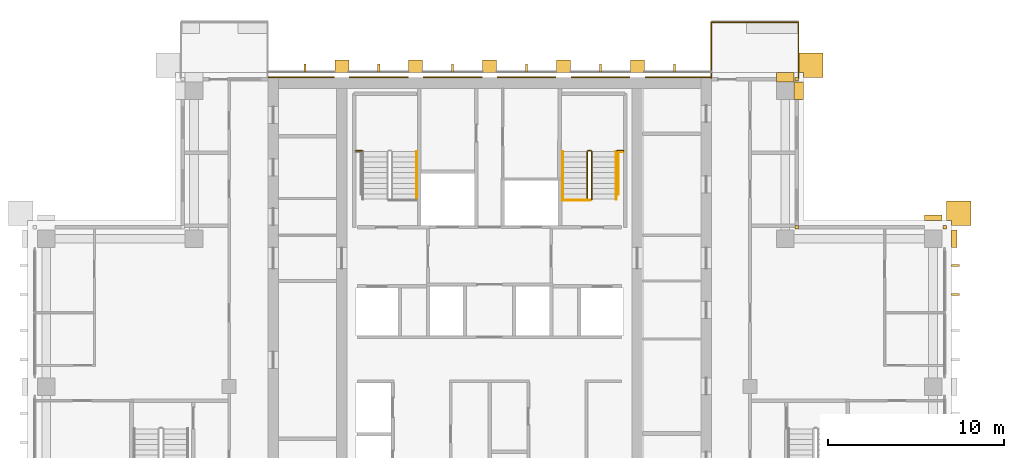
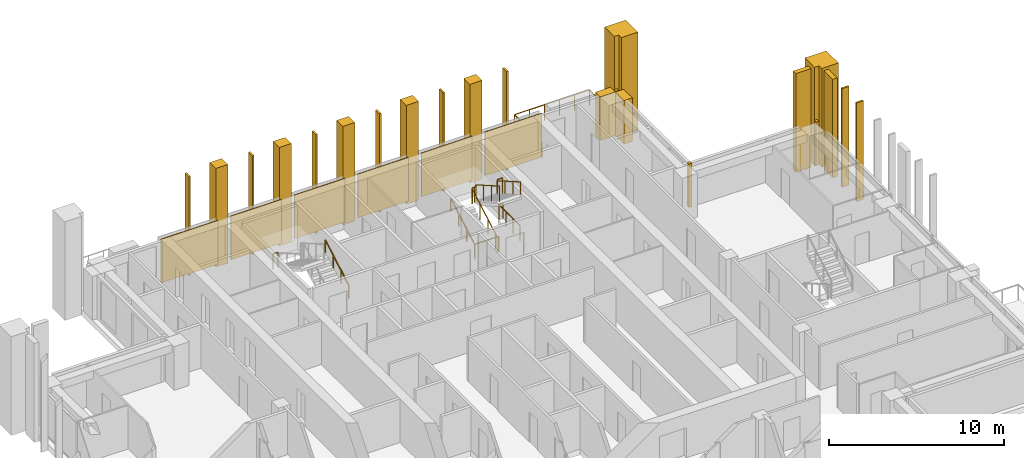
# One storey, part 18 of 18: 28 coverings, 9 railings.
"""IFC4 building model written with IfcOpenShell, lengths in metres."""

import ifcopenshell
import ifcopenshell.guid

model = None  # the IFC model being written
_history = None  # IfcOwnerHistory: only IFC2X3 demands one
_inside = {}  # id of a spatial element -> (the spatial element, [elements in it])
_under = {}  # id of a project, library or spatial element -> (it, [spatial elements below it])
_declared = {}  # id of a project -> (the project, [libraries it declares])
_typed = {}  # id of a type object -> (the type object, [elements of that type])
_made_of = {}  # id of a material, layer set ... -> (it, [elements and type objects made of it])


def new_model(schema):
    """Start an empty IFC model of exactly this schema.

    Asked for "IFC4X3", IfcOpenShell would pick the latest addendum, in which some entities
    have other attributes; the version numbers below select the first issue.
    IFC2X3 requires an IfcOwnerHistory on every rooted entity: one is made here for all.
    """
    global model, _history
    if schema == "IFC4X3":
        model = ifcopenshell.file(schema_version=(4, 3, 0, 0))
    else:
        model = ifcopenshell.file(schema=schema)
    _inside.clear()
    _under.clear()
    _declared.clear()
    _typed.clear()
    _made_of.clear()
    _history = None
    if model.schema == "IFC2X3":
        org = make("IfcOrganization", Name="unknown")
        user = make(
            "IfcPersonAndOrganization",
            ThePerson=make("IfcPerson", FamilyName="unknown"),
            TheOrganization=org,
        )
        app = make(
            "IfcApplication",
            ApplicationDeveloper=org,
            Version="unknown",
            ApplicationFullName="unknown",
            ApplicationIdentifier="unknown",
        )
        _history = make(
            "IfcOwnerHistory",
            OwningUser=user,
            OwningApplication=app,
            ChangeAction="ADDED",
            CreationDate=0,
        )
    return model


def make(cls, **values):
    """One entity of the class cls with the attributes given. An attribute that is None is left unset."""
    return model.create_entity(
        cls, **{name: value for name, value in values.items() if value is not None}
    )


def rooted(cls, **values):
    """An entity with a GlobalId (a new one), such as an element, a storey or a relation."""
    return make(cls, GlobalId=ifcopenshell.guid.new(), OwnerHistory=_history, **values)


def si_unit(unit_type, name, prefix=None):
    """IfcSIUnit, for example si_unit("LENGTHUNIT", "METRE", prefix="MILLI")."""
    return make("IfcSIUnit", UnitType=unit_type, Prefix=prefix, Name=name)


def assignment(units):
    """IfcUnitAssignment: the units of a project."""
    return None if units is None else make("IfcUnitAssignment", Units=units)


def point(xyz):
    """IfcCartesianPoint."""
    return None if xyz is None else make("IfcCartesianPoint", Coordinates=xyz)


def direction(xyz):
    """IfcDirection."""
    return None if xyz is None else make("IfcDirection", DirectionRatios=xyz)


def frame(location, z_axis=None, x_axis=None):
    """IfcAxis2Placement3D, a coordinate frame: its origin and axes. An axis left out is left unset."""
    return make(
        "IfcAxis2Placement3D",
        Location=point(location),
        Axis=direction(z_axis),
        RefDirection=direction(x_axis),
    )


def frame_2d(location, x_axis=None):
    """IfcAxis2Placement2D, a coordinate frame in the plane: its origin and x axis."""
    return make(
        "IfcAxis2Placement2D", Location=point(location), RefDirection=direction(x_axis)
    )


def origin():
    """The frame at (0, 0, 0) with its axes left unset."""
    return frame((0.0, 0.0, 0.0))


def origin_2d():
    """The frame at (0, 0) in the plane with its x axis left unset."""
    return frame_2d((0.0, 0.0))


def place(relative_to, where):
    """IfcLocalPlacement: puts the frame where relative to a parent placement (None: the world)."""
    return make(
        "IfcLocalPlacement", PlacementRelTo=relative_to, RelativePlacement=where
    )


def context(
    kind, dimensions, precision=None, world=None, true_north=None, identifier=None
):
    """IfcGeometricRepresentationContext, for example the 3D "Model" context."""
    return make(
        "IfcGeometricRepresentationContext",
        ContextIdentifier=identifier,
        ContextType=kind,
        CoordinateSpaceDimension=dimensions,
        Precision=precision,
        WorldCoordinateSystem=world,
        TrueNorth=true_north,
    )


def subcontext(parent, identifier, kind, view, scale=None):
    """IfcGeometricRepresentationSubContext, for example "Body" below "Model"."""
    return make(
        "IfcGeometricRepresentationSubContext",
        ContextIdentifier=identifier,
        ContextType=kind,
        ParentContext=parent,
        TargetScale=scale,
        TargetView=view,
    )


def project(units=None, contexts=None):
    """IfcProject with its units and contexts."""
    return rooted(
        "IfcProject",
        Name="project",
        RepresentationContexts=contexts,
        UnitsInContext=assignment(units),
    )


def spatial(cls, under=None, at=None, **own):
    """A site, building, storey or space (cls), placed at a placement, below another one or the project."""
    s = rooted(cls, ObjectPlacement=at, **own)
    if under is not None:
        _under.setdefault(under.id(), (under, []))[1].append(s)
    return s


def polyline(points):
    """IfcPolyline through the points."""
    return make("IfcPolyline", Points=[point(p) for p in points])


def profile(cls, at=None, kind="AREA", **sizes):
    """A parametric profile (cls). Its sizes go by their IFC names, for example OverallWidth=200.0."""
    return make(cls, ProfileType=kind, Position=at, **sizes)


def rectangle(**sizes):
    """IfcRectangleProfileDef."""
    return profile("IfcRectangleProfileDef", **sizes)


def outline(outer, holes=None, kind="AREA"):
    """IfcArbitraryClosedProfileDef: a profile drawn as a closed curve; with holes, ...WithVoids."""
    if holes is None:
        return make("IfcArbitraryClosedProfileDef", ProfileType=kind, OuterCurve=outer)
    return make(
        "IfcArbitraryProfileDefWithVoids",
        ProfileType=kind,
        OuterCurve=outer,
        InnerCurves=holes,
    )


def extrude(swept, where, along, depth):
    """IfcExtrudedAreaSolid: the profile swept, set in the frame where, extruded along a direction by depth."""
    return make(
        "IfcExtrudedAreaSolid",
        SweptArea=swept,
        Position=where,
        ExtrudedDirection=direction(along),
        Depth=depth,
    )


def shape(context_of_items, identifier, shape_type, items):
    """IfcShapeRepresentation: the items that make up one representation, for example the "Body"."""
    return make(
        "IfcShapeRepresentation",
        ContextOfItems=context_of_items,
        RepresentationIdentifier=identifier,
        RepresentationType=shape_type,
        Items=items,
    )


def material(Name=None, Category=None):
    """IfcMaterial."""
    return make("IfcMaterial", Name=Name, Category=Category)


def layer(
    of_material, thickness, ventilated=None, Name=None, Category=None, Priority=None
):
    """IfcMaterialLayer: one layer of a wall or slab, of a material (None: an air gap)."""
    return make(
        "IfcMaterialLayer",
        Material=of_material,
        LayerThickness=thickness,
        IsVentilated=ventilated,
        Name=Name,
        Category=Category,
        Priority=Priority,
    )


def layer_set(layers, Name=None):
    """IfcMaterialLayerSet."""
    return make("IfcMaterialLayerSet", MaterialLayers=layers, LayerSetName=Name)


def made_of(thing, what):
    """Note that an element or type object is made of a material, layer set ...; save() writes the relation."""
    if what is not None:
        _made_of.setdefault(what.id(), (what, []))[1].append(thing)
    return thing


def type_object(cls, material=None, **own):
    """A type object (cls), such as IfcWallType, which elements share."""
    return made_of(rooted(cls, **own), material)


def element(
    cls,
    number,
    at=None,
    inside=None,
    cuts=None,
    type_object=None,
    material=None,
    context=None,
    identifier="Body",
    shape_type=None,
    held_by="IfcProductDefinitionShape",
    body=None,
    shapes=None,
    **own,
):
    """One element of the class cls, such as IfcWall. Its Tag is "e" and its number.

    at: its placement. inside: the storey or other place that contains it. cuts: it is an
    opening in that element (IfcRelVoidsElement). A single representation is given by context,
    identifier, shape_type and body (its items); several are given by shapes. held_by: the class
    of the entity that holds the representations. save() writes the other relations.
    """
    e = rooted(cls, Tag="e%d" % number, ObjectPlacement=at, **own)
    if body is not None:
        shapes = [shape(context, identifier, shape_type, body)]
    if shapes is not None:
        e.Representation = make(held_by, Representations=shapes)
    if inside is not None:
        _inside.setdefault(inside.id(), (inside, []))[1].append(e)
    if cuts is not None:
        rooted(
            "IfcRelVoidsElement", RelatingBuildingElement=cuts, RelatedOpeningElement=e
        )
    if type_object is not None:
        _typed.setdefault(type_object.id(), (type_object, []))[1].append(e)
    return made_of(e, material)


def aggregate(whole, parts):
    """IfcRelAggregates: a whole, such as a stair, and the parts it consists of."""
    return rooted("IfcRelAggregates", RelatingObject=whole, RelatedObjects=parts)


def save(model, path):
    """Write the relations noted so far, then the file.

    IfcRelAggregates (storeys below a building ...), IfcRelContainedInSpatialStructure (elements
    in a storey), IfcRelDefinesByType, IfcRelAssociatesMaterial and IfcRelDeclares: one each for
    every whole, place, type object, material and project.
    """
    for whole, parts in _under.values():
        aggregate(whole, parts)
    for where, things in _inside.values():
        rooted(
            "IfcRelContainedInSpatialStructure",
            RelatedElements=things,
            RelatingStructure=where,
        )
    for kind, things in _typed.values():
        rooted("IfcRelDefinesByType", RelatedObjects=things, RelatingType=kind)
    for what, things in _made_of.values():
        rooted("IfcRelAssociatesMaterial", RelatedObjects=things, RelatingMaterial=what)
    for by, libraries in _declared.values():
        rooted("IfcRelDeclares", RelatingContext=by, RelatedDefinitions=libraries)
    model.write(path)


model = new_model("IFC4")

# Units and contexts
model_context = context("Model", 3, precision=1e-05, world=origin(), true_north=direction((0.0, 1.0)))
body_context = subcontext(model_context, "Body", "Model", "MODEL_VIEW")
ifc_project = project(units=[si_unit("LENGTHUNIT", "METRE"), si_unit("AREAUNIT", "SQUARE_METRE"), si_unit("VOLUMEUNIT", "CUBIC_METRE"), si_unit("PLANEANGLEUNIT", "RADIAN"), si_unit("MASSUNIT", "GRAM", prefix="KILO")], contexts=[model_context])

# Site, building, storey
site_placement = place(None, origin())
site = spatial("IfcSite", under=ifc_project, at=site_placement, CompositionType="ELEMENT")
building_placement = place(site_placement, origin())
building = spatial("IfcBuilding", under=site, at=building_placement, Name="Vermilion Ogive Tower", CompositionType="ELEMENT")
storey_placement = place(building_placement, frame((0.0, 0.0, 185.89990234375)))
storey = spatial("IfcBuildingStorey", under=building, at=storey_placement, Name="L48", CompositionType="ELEMENT", Elevation=185.89990234375)

# Railing
ifc_material_1 = material(Name="Stainless steel and glass", Category="steel")
railing_type_1 = type_object("IfcRailingType", Name="Balcony guard", PredefinedType="GUARDRAIL", material=ifc_material_1)
railing_1_placement = place(storey_placement, frame((17.550048828125, 21.75, -0.039794921875)))
element("IfcRailing", 1, at=railing_1_placement, inside=storey, type_object=railing_type_1, Name="Guard N101", PredefinedType="GUARDRAIL", context=body_context, shape_type="SweptSolid", body=[
    extrude(rectangle(XDim=0.048095703125, YDim=0.048095703125, at=origin_2d()), frame((0.0, 0.0, 1.076171875), z_axis=(0.0, 1.0, 0.0), x_axis=(-1.0, 0.0, 0.0)), (0.0, 0.0, 1.0), 3.159912109375),
    extrude(rectangle(XDim=0.048095703125, YDim=0.048095703125, at=origin_2d()), frame((0.0, 3.159912109375, 1.076171875), z_axis=(-1.0, 0.0, 0.0), x_axis=(0.0, -1.0, 0.0)), (0.0, 0.0, 1.0), 4.949951171875),
    extrude(rectangle(XDim=0.048095703125, YDim=0.048095703125, at=origin_2d()), frame((-4.949951171875, 3.159912109375, 1.076171875), z_axis=(0.0, -1.0, 0.0), x_axis=(1.0, 0.0, 0.0)), (0.0, 0.0, 1.0), 3.159912109375),
    extrude(rectangle(XDim=0.0419921875, YDim=0.0419921875, at=origin_2d()), origin(), (0.0, 0.0, 1.0), 1.052001953125),
    extrude(rectangle(XDim=0.0419921875, YDim=0.0419921875, at=origin_2d()), frame((0.0, 1.05322265625, 0.0)), (0.0, 0.0, 1.0), 1.052001953125),
    extrude(rectangle(XDim=0.0419921875, YDim=0.0419921875, at=origin_2d()), frame((0.0, 2.106689453125, 0.0)), (0.0, 0.0, 1.0), 1.052001953125),
    extrude(rectangle(XDim=0.0419921875, YDim=0.0419921875, at=origin_2d()), frame((0.0, 3.159912109375, 0.0)), (0.0, 0.0, 1.0), 1.052001953125),
    extrude(rectangle(XDim=0.0419921875, YDim=0.0419921875, at=origin_2d()), frame((-0.989990234375, 3.159912109375, 0.0)), (0.0, 0.0, 1.0), 1.052001953125),
    extrude(rectangle(XDim=0.0419921875, YDim=0.0419921875, at=origin_2d()), frame((-1.97998046875, 3.159912109375, 0.0)), (0.0, 0.0, 1.0), 1.052001953125),
    extrude(rectangle(XDim=0.0419921875, YDim=0.0419921875, at=origin_2d()), frame((-2.969970703125, 3.159912109375, 0.0)), (0.0, 0.0, 1.0), 1.052001953125),
    extrude(rectangle(XDim=0.0419921875, YDim=0.0419921875, at=origin_2d()), frame((-3.9599609375, 3.159912109375, 0.0)), (0.0, 0.0, 1.0), 1.052001953125),
    extrude(rectangle(XDim=0.0419921875, YDim=0.0419921875, at=origin_2d()), frame((-4.949951171875, 3.159912109375, 0.0)), (0.0, 0.0, 1.0), 1.052001953125),
    extrude(rectangle(XDim=0.0419921875, YDim=0.0419921875, at=origin_2d()), frame((-4.949951171875, 2.106689453125, 0.0)), (0.0, 0.0, 1.0), 1.052001953125),
    extrude(rectangle(XDim=0.0419921875, YDim=0.0419921875, at=origin_2d()), frame((-4.949951171875, 1.05322265625, 0.0)), (0.0, 0.0, 1.0), 1.052001953125),
    extrude(rectangle(XDim=0.0419921875, YDim=0.0419921875, at=origin_2d()), frame((-4.949951171875, 0.0, 0.0)), (0.0, 0.0, 1.0), 1.052001953125),
])

# Coverings
ifc_material_2 = material(Name="Glazed ceramic screen")
ifc_layer = layer(ifc_material_2, 0.14990234375)
ifc_layer_set = layer_set([ifc_layer], Name="Ceramic solar screen fin")
covering_type_1 = type_object("IfcCoveringType", Name="Ceramic solar screen fin", PredefinedType="CLADDING", material=ifc_layer_set)
covering_1_placement = place(storey_placement, frame((0.0, 0.0, -0.39990234375)))
element("IfcCovering", 2, at=covering_1_placement, inside=storey, type_object=covering_type_1, Name="Solar screen blade E021", PredefinedType="CLADDING", context=body_context, shape_type="SweptSolid", body=[
    extrude(outline(polyline([(26.699951171875, 9.364990234375), (26.699951171875, 9.485107421875), (26.25, 9.485107421875), (26.25, 9.364990234375), (26.699951171875, 9.364990234375)])), origin(), (0.0, 0.0, 1.0), 6.89990234375),
])
covering_2_placement = place(storey_placement, frame((0.0, 0.0, -0.39990234375)))
element("IfcCovering", 3, at=covering_2_placement, inside=storey, type_object=covering_type_1, Name="Solar screen blade E022", PredefinedType="CLADDING", context=body_context, shape_type="SweptSolid", body=[
    extrude(outline(polyline([(26.699951171875, 11.014892578125), (26.699951171875, 11.135009765625), (26.25, 11.135009765625), (26.25, 11.014892578125), (26.699951171875, 11.014892578125)])), origin(), (0.0, 0.0, 1.0), 6.89990234375),
])
covering_3_placement = place(storey_placement, frame((0.0, 0.0, -0.39990234375)))
element("IfcCovering", 4, at=covering_3_placement, inside=storey, type_object=covering_type_1, Name="Solar screen blade N1", PredefinedType="CLADDING", context=body_context, shape_type="SweptSolid", body=[
    extrude(outline(polyline([(-10.56005859375, 22.08203125), (-10.43994140625, 22.08203125), (-10.43994140625, 22.531982421875), (-10.56005859375, 22.531982421875), (-10.56005859375, 22.08203125)])), origin(), (0.0, 0.0, 1.0), 6.89990234375),
])
covering_4_placement = place(storey_placement, frame((0.0, 0.0, -0.39990234375)))
element("IfcCovering", 5, at=covering_4_placement, inside=storey, type_object=covering_type_1, Name="Solar screen blade N2", PredefinedType="CLADDING", context=body_context, shape_type="SweptSolid", body=[
    extrude(outline(polyline([(-6.360107421875, 22.08203125), (-6.239990234375, 22.08203125), (-6.239990234375, 22.531982421875), (-6.360107421875, 22.531982421875), (-6.360107421875, 22.08203125)])), origin(), (0.0, 0.0, 1.0), 6.89990234375),
])
covering_5_placement = place(storey_placement, frame((0.0, 0.0, -0.39990234375)))
element("IfcCovering", 6, at=covering_5_placement, inside=storey, type_object=covering_type_1, Name="Solar screen blade N3", PredefinedType="CLADDING", context=body_context, shape_type="SweptSolid", body=[
    extrude(outline(polyline([(-2.159912109375, 22.08203125), (-2.0400390625, 22.08203125), (-2.0400390625, 22.531982421875), (-2.159912109375, 22.531982421875), (-2.159912109375, 22.08203125)])), origin(), (0.0, 0.0, 1.0), 6.89990234375),
])
covering_6_placement = place(storey_placement, frame((0.0, 0.0, -0.39990234375)))
element("IfcCovering", 7, at=covering_6_placement, inside=storey, type_object=covering_type_1, Name="Solar screen blade N4", PredefinedType="CLADDING", context=body_context, shape_type="SweptSolid", body=[
    extrude(outline(polyline([(2.0400390625, 22.08203125), (2.159912109375, 22.08203125), (2.159912109375, 22.531982421875), (2.0400390625, 22.531982421875), (2.0400390625, 22.08203125)])), origin(), (0.0, 0.0, 1.0), 6.89990234375),
])
covering_7_placement = place(storey_placement, frame((0.0, 0.0, -0.39990234375)))
element("IfcCovering", 8, at=covering_7_placement, inside=storey, type_object=covering_type_1, Name="Solar screen blade N5", PredefinedType="CLADDING", context=body_context, shape_type="SweptSolid", body=[
    extrude(outline(polyline([(6.239990234375, 22.08203125), (6.360107421875, 22.08203125), (6.360107421875, 22.531982421875), (6.239990234375, 22.531982421875), (6.239990234375, 22.08203125)])), origin(), (0.0, 0.0, 1.0), 6.89990234375),
])
covering_8_placement = place(storey_placement, frame((0.0, 0.0, -0.39990234375)))
element("IfcCovering", 9, at=covering_8_placement, inside=storey, type_object=covering_type_1, Name="Solar screen blade N6", PredefinedType="CLADDING", context=body_context, shape_type="SweptSolid", body=[
    extrude(outline(polyline([(10.43994140625, 22.08203125), (10.56005859375, 22.08203125), (10.56005859375, 22.531982421875), (10.43994140625, 22.531982421875), (10.43994140625, 22.08203125)])), origin(), (0.0, 0.0, 1.0), 6.89990234375),
])

# Railings
ifc_material_3 = material(Name="Steel S355 painted", Category="steel")
railing_type_2 = type_object("IfcRailingType", Name="Stair guard 1100", PredefinedType="GUARDRAIL", material=ifc_material_3)
railing_2_placement = place(storey_placement, frame((5.75, 14.800048828125, 0.0)))
element("IfcRailing", 10, at=railing_2_placement, inside=storey, type_object=railing_type_2, Name="L48 ST2 stair guard 4", PredefinedType="GUARDRAIL", context=body_context, shape_type="SweptSolid", body=[
    extrude(rectangle(XDim=0.048095703125, YDim=0.048095703125, at=origin_2d()), frame((0.0, 0.0, 1.076171875), z_axis=(-1.0, 0.0, 0.0), x_axis=(0.0, -1.0, 0.0)), (0.0, 0.0, 1.0), 0.14990234375),
    extrude(rectangle(XDim=0.048095703125, YDim=0.048095703125, at=origin_2d()), frame((-0.14990234375, 0.0, 1.076171875), z_axis=(-0.268277960024, 0.268277960024, 0.925231793839), x_axis=(-0.707106781187, -0.707106781187, 0.0)), (0.0, 0.0, 1.0), 0.1865234375),
    extrude(rectangle(XDim=0.048095703125, YDim=0.048095703125, at=origin_2d()), frame((-0.199951171875, 0.050048828125, 1.24853515625), z_axis=(0.0, 0.866903762492, 0.498475542607), x_axis=(-1.0, 0.0, 0.0)), (0.0, 0.0, 1.0), 3.114501953125),
    extrude(rectangle(XDim=0.048095703125, YDim=0.048095703125, at=origin_2d()), frame((-0.199951171875, 2.75, 2.80126953125), z_axis=(0.707106781187, 0.707106781187, 0.0), x_axis=(-0.707106781187, 0.707106781187, 0.0)), (0.0, 0.0, 1.0), 0.07080078125),
    extrude(rectangle(XDim=0.048095703125, YDim=0.048095703125, at=origin_2d()), frame((-0.14990234375, 2.800048828125, 2.80126953125), z_axis=(1.0, 0.0, 0.0), x_axis=(0.0, 1.0, 0.0)), (0.0, 0.0, 1.0), 0.14990234375),
    extrude(rectangle(XDim=0.048095703125, YDim=0.048095703125, at=origin_2d()), frame((0.0, 2.800048828125, 2.80126953125), z_axis=(0.268277960024, -0.268277960024, 0.925231793839), x_axis=(0.707106781187, 0.707106781187, 0.0)), (0.0, 0.0, 1.0), 0.1865234375),
    extrude(rectangle(XDim=0.048095703125, YDim=0.048095703125, at=origin_2d()), frame((0.050048828125, 2.75, 2.9736328125), z_axis=(0.0, -0.866903762492, 0.498475542607), x_axis=(1.0, 0.0, 0.0)), (0.0, 0.0, 1.0), 3.114501953125),
    extrude(rectangle(XDim=0.0419921875, YDim=0.0419921875, at=origin_2d()), origin(), (0.0, 0.0, 1.0), 1.052001953125),
    extrude(rectangle(XDim=0.0419921875, YDim=0.0419921875, at=origin_2d()), frame((-0.14990234375, 0.0, 0.0)), (0.0, 0.0, 1.0), 1.052001953125),
    extrude(rectangle(XDim=0.0419921875, YDim=0.0419921875, at=origin_2d()), frame((-0.199951171875, 0.050048828125, 0.172607421875)), (0.0, 0.0, 1.0), 1.052001953125),
    extrude(rectangle(XDim=0.0419921875, YDim=0.0419921875, at=origin_2d()), frame((-0.199951171875, 0.949951171875, 0.690185546875)), (0.0, 0.0, 1.0), 1.052001953125),
    extrude(rectangle(XDim=0.0419921875, YDim=0.0419921875, at=origin_2d()), frame((-0.199951171875, 1.85009765625, 1.20751953125)), (0.0, 0.0, 1.0), 1.052001953125),
    extrude(rectangle(XDim=0.0419921875, YDim=0.0419921875, at=origin_2d()), frame((-0.199951171875, 2.75, 1.72509765625)), (0.0, 0.0, 1.0), 1.052001953125),
    extrude(rectangle(XDim=0.0419921875, YDim=0.0419921875, at=origin_2d()), frame((-0.14990234375, 2.800048828125, 1.72509765625)), (0.0, 0.0, 1.0), 1.052001953125),
    extrude(rectangle(XDim=0.0419921875, YDim=0.0419921875, at=origin_2d()), frame((0.0, 2.800048828125, 1.72509765625)), (0.0, 0.0, 1.0), 1.052001953125),
    extrude(rectangle(XDim=0.0419921875, YDim=0.0419921875, at=origin_2d()), frame((0.050048828125, 2.75, 1.897705078125)), (0.0, 0.0, 1.0), 1.052001953125),
    extrude(rectangle(XDim=0.0419921875, YDim=0.0419921875, at=origin_2d()), frame((0.050048828125, 1.85009765625, 2.415283203125)), (0.0, 0.0, 1.0), 1.052001953125),
    extrude(rectangle(XDim=0.0419921875, YDim=0.0419921875, at=origin_2d()), frame((0.050048828125, 0.949951171875, 2.9326171875)), (0.0, 0.0, 1.0), 1.052001953125),
    extrude(rectangle(XDim=0.0419921875, YDim=0.0419921875, at=origin_2d()), frame((0.050048828125, 0.050048828125, 3.4501953125)), (0.0, 0.0, 1.0), 1.052001953125),
])
for number, where, name in (
    (11, (-7.60009765625, 17.60009765625, 1.72509765625), "L48 landing guard"),
    (12, (7.25, 17.60009765625, 1.72509765625), "L48 landing guard"),
):
    element("IfcRailing", number, at=place(storey_placement, frame(where)), inside=storey, type_object=railing_type_2, Name=name, PredefinedType="GUARDRAIL", context=body_context, shape_type="SweptSolid", body=[
        extrude(rectangle(XDim=0.048095703125, YDim=0.048095703125, at=origin_2d()), frame((0.0, 0.0, 1.076171875), z_axis=(1.0, 0.0, 0.0), x_axis=(0.0, 1.0, 0.0)), (0.0, 0.0, 1.0), 0.35009765625),
        extrude(rectangle(XDim=0.0419921875, YDim=0.0419921875, at=origin_2d()), origin(), (0.0, 0.0, 1.0), 1.052001953125),
        extrude(rectangle(XDim=0.0419921875, YDim=0.0419921875, at=origin_2d()), frame((0.35009765625, 0.0, 0.0)), (0.0, 0.0, 1.0), 1.052001953125),
    ])
railing_3_placement = place(storey_placement, frame((7.599609375, 17.54296875, 0.0)))
element("IfcRailing", 13, at=railing_3_placement, inside=storey, type_object=railing_type_2, Name="L48 stair opening guard", PredefinedType="GUARDRAIL", context=body_context, shape_type="SweptSolid", body=[
    extrude(rectangle(XDim=0.048095703125, YDim=0.048095703125, at=origin_2d()), frame((0.0, 0.0, 1.076171875), z_axis=(-1.0, 0.0, 0.0), x_axis=(0.0, -1.0, 0.0)), (0.0, 0.0, 1.0), 0.2900390625),
    extrude(rectangle(XDim=0.048095703125, YDim=0.048095703125, at=origin_2d()), frame((-0.2900390625, 0.0, 1.076171875), z_axis=(0.0, -1.0, 0.0), x_axis=(1.0, 0.0, 0.0)), (0.0, 0.0, 1.0), 2.42431640625),
    extrude(rectangle(XDim=0.0419921875, YDim=0.0419921875, at=origin_2d()), origin(), (0.0, 0.0, 1.0), 1.052001953125),
    extrude(rectangle(XDim=0.0419921875, YDim=0.0419921875, at=origin_2d()), frame((-0.2900390625, 0.0, 0.0)), (0.0, 0.0, 1.0), 1.052001953125),
    extrude(rectangle(XDim=0.0419921875, YDim=0.0419921875, at=origin_2d()), frame((-0.2900390625, -0.80810546875, 0.0)), (0.0, 0.0, 1.0), 1.052001953125),
    extrude(rectangle(XDim=0.0419921875, YDim=0.0419921875, at=origin_2d()), frame((-0.2900390625, -1.6162109375, 0.0)), (0.0, 0.0, 1.0), 1.052001953125),
    extrude(rectangle(XDim=0.0419921875, YDim=0.0419921875, at=origin_2d()), frame((-0.2900390625, -2.42431640625, 0.0)), (0.0, 0.0, 1.0), 1.052001953125),
])
railing_4_placement = place(storey_placement, frame((5.699951171875, 14.7900390625, 0.0)))
element("IfcRailing", 14, at=railing_4_placement, inside=storey, type_object=railing_type_2, Name="L48 stair opening guard", PredefinedType="GUARDRAIL", context=body_context, shape_type="SweptSolid", body=[
    extrude(rectangle(XDim=0.048095703125, YDim=0.048095703125, at=origin_2d()), frame((0.0, 0.0, 1.076171875), z_axis=(-1.0, 0.0, 0.0), x_axis=(0.0, -1.0, 0.0)), (0.0, 0.0, 1.0), 1.5400390625),
    extrude(rectangle(XDim=0.0419921875, YDim=0.0419921875, at=origin_2d()), origin(), (0.0, 0.0, 1.0), 1.052001953125),
    extrude(rectangle(XDim=0.0419921875, YDim=0.0419921875, at=origin_2d()), frame((-0.77001953125, 0.0, 0.0)), (0.0, 0.0, 1.0), 1.052001953125),
    extrude(rectangle(XDim=0.0419921875, YDim=0.0419921875, at=origin_2d()), frame((-1.5400390625, 0.0, 0.0)), (0.0, 0.0, 1.0), 1.052001953125),
])
ifc_material_4 = material(Name="Stainless steel", Category="steel")
railing_type_3 = type_object("IfcRailingType", Name="Stair handrail 900", PredefinedType="HANDRAIL", material=ifc_material_4)
for number, where, name in (
    (15, (-4.14990234375, 14.85009765625, 0.172607421875), "L48 ST1 stair handrail 1"),
    (16, (4.14990234375, 14.85009765625, 0.172607421875), "L48 ST2 stair handrail 1"),
):
    element("IfcRailing", number, at=place(storey_placement, frame(where)), inside=storey, type_object=railing_type_3, Name=name, PredefinedType="HANDRAIL", context=body_context, shape_type="SweptSolid", body=[
        extrude(rectangle(XDim=0.048095703125, YDim=0.048095703125, at=origin_2d()), frame((0.0, 0.0, 0.8759765625), z_axis=(0.0, 0.866903762492, 0.498475542607), x_axis=(-1.0, 0.0, 0.0)), (0.0, 0.0, 1.0), 3.114501953125),
        extrude(rectangle(XDim=0.0419921875, YDim=0.0419921875, at=origin_2d()), origin(), (0.0, 0.0, 1.0), 0.851806640625),
        extrude(rectangle(XDim=0.0419921875, YDim=0.0419921875, at=origin_2d()), frame((0.0, 0.89990234375, 0.517578125)), (0.0, 0.0, 1.0), 0.851806640625),
        extrude(rectangle(XDim=0.0419921875, YDim=0.0419921875, at=origin_2d()), frame((0.0, 1.800048828125, 1.034912109375)), (0.0, 0.0, 1.0), 0.851806640625),
        extrude(rectangle(XDim=0.0419921875, YDim=0.0419921875, at=origin_2d()), frame((0.0, 2.699951171875, 1.552490234375)), (0.0, 0.0, 1.0), 0.851806640625),
    ])
railing_5_placement = place(storey_placement, frame((7.199951171875, 17.550048828125, 1.897705078125)))
element("IfcRailing", 17, at=railing_5_placement, inside=storey, type_object=railing_type_3, Name="L48 ST2 stair handrail 2", PredefinedType="HANDRAIL", context=body_context, shape_type="SweptSolid", body=[
    extrude(rectangle(XDim=0.048095703125, YDim=0.048095703125, at=origin_2d()), frame((0.0, 0.0, 0.8759765625), z_axis=(0.0, -0.866903762492, 0.498475542607), x_axis=(1.0, 0.0, 0.0)), (0.0, 0.0, 1.0), 3.114501953125),
    extrude(rectangle(XDim=0.0419921875, YDim=0.0419921875, at=origin_2d()), origin(), (0.0, 0.0, 1.0), 0.851806640625),
    extrude(rectangle(XDim=0.0419921875, YDim=0.0419921875, at=origin_2d()), frame((0.0, -0.89990234375, 0.517578125)), (0.0, 0.0, 1.0), 0.851806640625),
    extrude(rectangle(XDim=0.0419921875, YDim=0.0419921875, at=origin_2d()), frame((0.0, -1.800048828125, 1.034912109375)), (0.0, 0.0, 1.0), 0.851806640625),
    extrude(rectangle(XDim=0.0419921875, YDim=0.0419921875, at=origin_2d()), frame((0.0, -2.699951171875, 1.552490234375)), (0.0, 0.0, 1.0), 0.851806640625),
])

# Coverings
ifc_material_5 = material(Name="Stone cladding", Category="masonry")
covering_type_2 = type_object("IfcCoveringType", Name="Stone buttress pier", PredefinedType="CLADDING", material=ifc_material_5)
covering_9_placement = place(storey_placement, frame((0.0, 0.0, -0.39990234375)))
element("IfcCovering", 18, at=covering_9_placement, inside=storey, type_object=covering_type_2, Name="Stone buttress pier N1", PredefinedType="CLADDING", context=body_context, shape_type="SweptSolid", body=[
    extrude(outline(polyline([(-8.0, 22.75), (-8.0, 22.050048828125), (-8.800048828125, 22.050048828125), (-8.800048828125, 22.75), (-8.0, 22.75)])), origin(), (0.0, 0.0, 1.0), 6.89990234375),
])
covering_10_placement = place(storey_placement, frame((0.0, 0.0, -0.39990234375)))
element("IfcCovering", 19, at=covering_10_placement, inside=storey, type_object=covering_type_2, Name="Stone buttress pier N2", PredefinedType="CLADDING", context=body_context, shape_type="SweptSolid", body=[
    extrude(outline(polyline([(-3.800048828125, 22.75), (-3.800048828125, 22.050048828125), (-4.60009765625, 22.050048828125), (-4.60009765625, 22.75), (-3.800048828125, 22.75)])), origin(), (0.0, 0.0, 1.0), 6.89990234375),
])
covering_11_placement = place(storey_placement, frame((0.0, 0.0, -0.39990234375)))
element("IfcCovering", 20, at=covering_11_placement, inside=storey, type_object=covering_type_2, Name="Stone buttress pier N3", PredefinedType="CLADDING", context=body_context, shape_type="SweptSolid", body=[
    extrude(outline(polyline([(0.39990234375, 22.75), (0.39990234375, 22.050048828125), (-0.39990234375, 22.050048828125), (-0.39990234375, 22.75), (0.39990234375, 22.75)])), origin(), (0.0, 0.0, 1.0), 6.89990234375),
])
covering_12_placement = place(storey_placement, frame((0.0, 0.0, -0.39990234375)))
element("IfcCovering", 21, at=covering_12_placement, inside=storey, type_object=covering_type_2, Name="Stone buttress pier N4", PredefinedType="CLADDING", context=body_context, shape_type="SweptSolid", body=[
    extrude(outline(polyline([(4.60009765625, 22.75), (4.60009765625, 22.050048828125), (3.800048828125, 22.050048828125), (3.800048828125, 22.75), (4.60009765625, 22.75)])), origin(), (0.0, 0.0, 1.0), 6.89990234375),
])
covering_13_placement = place(storey_placement, frame((0.0, 0.0, -0.39990234375)))
element("IfcCovering", 22, at=covering_13_placement, inside=storey, type_object=covering_type_2, Name="Stone buttress pier N5", PredefinedType="CLADDING", context=body_context, shape_type="SweptSolid", body=[
    extrude(outline(polyline([(8.800048828125, 22.75), (8.800048828125, 22.050048828125), (8.0, 22.050048828125), (8.0, 22.75), (8.800048828125, 22.75)])), origin(), (0.0, 0.0, 1.0), 6.89990234375),
])
ifc_material_6 = material(Name="Stone cladding", Category="masonry")
covering_type_3 = type_object("IfcCoveringType", Name="Stone cladding panel", PredefinedType="CLADDING", material=ifc_material_6)
covering_14_placement = place(storey_placement, origin())
element("IfcCovering", 23, at=covering_14_placement, inside=storey, type_object=covering_type_3, Name="Stone cladding panel N1", PredefinedType="CLADDING", context=body_context, shape_type="SweptSolid", body=[
    extrude(outline(polyline([(-12.590087890625, 21.75), (-8.830078125, 21.75), (-8.830078125, 21.81005859375), (-12.590087890625, 21.81005859375), (-12.590087890625, 21.75)])), origin(), (0.0, 0.0, 1.0), 3.050048828125),
])
covering_15_placement = place(storey_placement, origin())
element("IfcCovering", 24, at=covering_15_placement, inside=storey, type_object=covering_type_3, Name="Stone cladding panel N2", PredefinedType="CLADDING", context=body_context, shape_type="SweptSolid", body=[
    extrude(outline(polyline([(-7.969970703125, 21.75), (-4.6298828125, 21.75), (-4.6298828125, 21.81005859375), (-7.969970703125, 21.81005859375), (-7.969970703125, 21.75)])), origin(), (0.0, 0.0, 1.0), 3.050048828125),
])
covering_16_placement = place(storey_placement, origin())
element("IfcCovering", 25, at=covering_16_placement, inside=storey, type_object=covering_type_3, Name="Stone cladding panel N3", PredefinedType="CLADDING", context=body_context, shape_type="SweptSolid", body=[
    extrude(outline(polyline([(-3.77001953125, 21.75), (-0.429931640625, 21.75), (-0.429931640625, 21.81005859375), (-3.77001953125, 21.81005859375), (-3.77001953125, 21.75)])), origin(), (0.0, 0.0, 1.0), 3.050048828125),
])
covering_17_placement = place(storey_placement, origin())
element("IfcCovering", 26, at=covering_17_placement, inside=storey, type_object=covering_type_3, Name="Stone cladding panel N4", PredefinedType="CLADDING", context=body_context, shape_type="SweptSolid", body=[
    extrude(outline(polyline([(0.429931640625, 21.75), (3.77001953125, 21.75), (3.77001953125, 21.81005859375), (0.429931640625, 21.81005859375), (0.429931640625, 21.75)])), origin(), (0.0, 0.0, 1.0), 3.050048828125),
])
covering_18_placement = place(storey_placement, origin())
element("IfcCovering", 27, at=covering_18_placement, inside=storey, type_object=covering_type_3, Name="Stone cladding panel N5", PredefinedType="CLADDING", context=body_context, shape_type="SweptSolid", body=[
    extrude(outline(polyline([(4.6298828125, 21.75), (7.969970703125, 21.75), (7.969970703125, 21.81005859375), (4.6298828125, 21.81005859375), (4.6298828125, 21.75)])), origin(), (0.0, 0.0, 1.0), 3.050048828125),
])
covering_19_placement = place(storey_placement, origin())
element("IfcCovering", 28, at=covering_19_placement, inside=storey, type_object=covering_type_3, Name="Stone cladding panel N6", PredefinedType="CLADDING", context=body_context, shape_type="SweptSolid", body=[
    extrude(outline(polyline([(8.830078125, 21.75), (12.590087890625, 21.75), (12.590087890625, 21.81005859375), (8.830078125, 21.81005859375), (8.830078125, 21.75)])), origin(), (0.0, 0.0, 1.0), 3.050048828125),
])
ifc_material_7 = material(Name="Stone cladding", Category="masonry")
covering_type_4 = type_object("IfcCoveringType", Name="Stone corner buttress", PredefinedType="CLADDING", material=ifc_material_7)
covering_20_placement = place(storey_placement, frame((0.0, 0.0, -0.39990234375)))
element("IfcCovering", 29, at=covering_20_placement, inside=storey, type_object=covering_type_4, Name="Stone corner buttress X31", PredefinedType="CLADDING", context=body_context, shape_type="SweptSolid", body=[
    extrude(outline(polyline([(26.25, 13.35009765625), (26.25, 13.64990234375), (25.949951171875, 13.64990234375), (25.949951171875, 14.75), (27.35009765625, 14.75), (27.35009765625, 13.35009765625), (26.25, 13.35009765625)])), origin(), (0.0, 0.0, 1.0), 6.89990234375),
])
covering_21_placement = place(storey_placement, frame((0.0, 0.0, -0.39990234375)))
element("IfcCovering", 30, at=covering_21_placement, inside=storey, type_object=covering_type_4, Name="Stone corner buttress N11", PredefinedType="CLADDING", context=body_context, shape_type="SweptSolid", body=[
    extrude(outline(polyline([(17.85009765625, 22.050048828125), (17.550048828125, 22.050048828125), (17.550048828125, 23.14990234375), (18.949951171875, 23.14990234375), (18.949951171875, 21.75), (17.85009765625, 21.75), (17.85009765625, 22.050048828125)])), origin(), (0.0, 0.0, 1.0), 6.89990234375),
])
ifc_material_8 = material(Name="Stone cladding", Category="masonry")
covering_type_5 = type_object("IfcCoveringType", Name="Stone pier", PredefinedType="CLADDING", material=ifc_material_8)
covering_22_placement = place(storey_placement, origin())
element("IfcCovering", 31, at=covering_22_placement, inside=storey, type_object=covering_type_5, Name="Stone corner pier EE1", PredefinedType="CLADDING", context=body_context, shape_type="SweptSolid", body=[
    extrude(outline(polyline([(25.75, 13.14990234375), (25.75, 13.35009765625), (25.949951171875, 13.35009765625), (25.949951171875, 13.14990234375), (25.75, 13.14990234375)])), origin(), (0.0, 0.0, 1.0), 3.050048828125),
])
covering_23_placement = place(storey_placement, origin())
element("IfcCovering", 32, at=covering_23_placement, inside=storey, type_object=covering_type_5, Name="Stone corner pier X3E1", PredefinedType="CLADDING", context=body_context, shape_type="SweptSolid", body=[
    extrude(outline(polyline([(17.35009765625, 13.14990234375), (17.35009765625, 13.35009765625), (17.550048828125, 13.35009765625), (17.550048828125, 13.14990234375), (17.35009765625, 13.14990234375)])), origin(), (0.0, 0.0, 1.0), 3.050048828125),
])
covering_24_placement = place(storey_placement, origin())
element("IfcCovering", 33, at=covering_24_placement, inside=storey, type_object=covering_type_5, Name="Stone corner pier X4E1", PredefinedType="CLADDING", context=body_context, shape_type="SweptSolid", body=[
    extrude(outline(polyline([(17.35009765625, 21.550048828125), (17.35009765625, 21.75), (17.550048828125, 21.75), (17.550048828125, 21.550048828125), (17.35009765625, 21.550048828125)])), origin(), (0.0, 0.0, 1.0), 3.050048828125),
])
covering_25_placement = place(storey_placement, frame((0.0, 0.0, -0.39990234375)))
element("IfcCovering", 34, at=covering_25_placement, inside=storey, type_object=covering_type_5, Name="Stone pier P+0252+126E", PredefinedType="CLADDING", context=body_context, shape_type="SweptSolid", body=[
    extrude(outline(polyline([(26.550048828125, 13.10009765625), (26.550048828125, 12.10009765625), (26.25, 12.10009765625), (26.25, 13.10009765625), (26.550048828125, 13.10009765625)])), origin(), (0.0, 0.0, 1.0), 6.89990234375),
])
covering_26_placement = place(storey_placement, frame((0.0, 0.0, -0.39990234375)))
element("IfcCovering", 35, at=covering_26_placement, inside=storey, type_object=covering_type_5, Name="Stone pier P+0252+126X3", PredefinedType="CLADDING", context=body_context, shape_type="SweptSolid", body=[
    extrude(outline(polyline([(25.699951171875, 13.949951171875), (25.699951171875, 13.64990234375), (24.699951171875, 13.64990234375), (24.699951171875, 13.949951171875), (25.699951171875, 13.949951171875)])), origin(), (0.0, 0.0, 1.0), 6.89990234375),
])
covering_27_placement = place(storey_placement, origin())
element("IfcCovering", 36, at=covering_27_placement, inside=storey, type_object=covering_type_5, Name="Stone pier P+0168+210X4", PredefinedType="CLADDING", context=body_context, shape_type="SweptSolid", body=[
    extrude(outline(polyline([(17.85009765625, 21.5), (17.85009765625, 20.5), (17.300048828125, 20.5), (17.300048828125, 21.5), (17.85009765625, 21.5)])), origin(), (0.0, 0.0, 1.0), 3.050048828125),
])
covering_28_placement = place(storey_placement, origin())
element("IfcCovering", 37, at=covering_28_placement, inside=storey, type_object=covering_type_5, Name="Stone pier P+0168+210N1", PredefinedType="CLADDING", context=body_context, shape_type="SweptSolid", body=[
    extrude(outline(polyline([(17.300048828125, 22.050048828125), (17.300048828125, 21.5), (16.300048828125, 21.5), (16.300048828125, 22.050048828125), (17.300048828125, 22.050048828125)])), origin(), (0.0, 0.0, 1.0), 3.050048828125),
])

save(model, "model.ifc")
